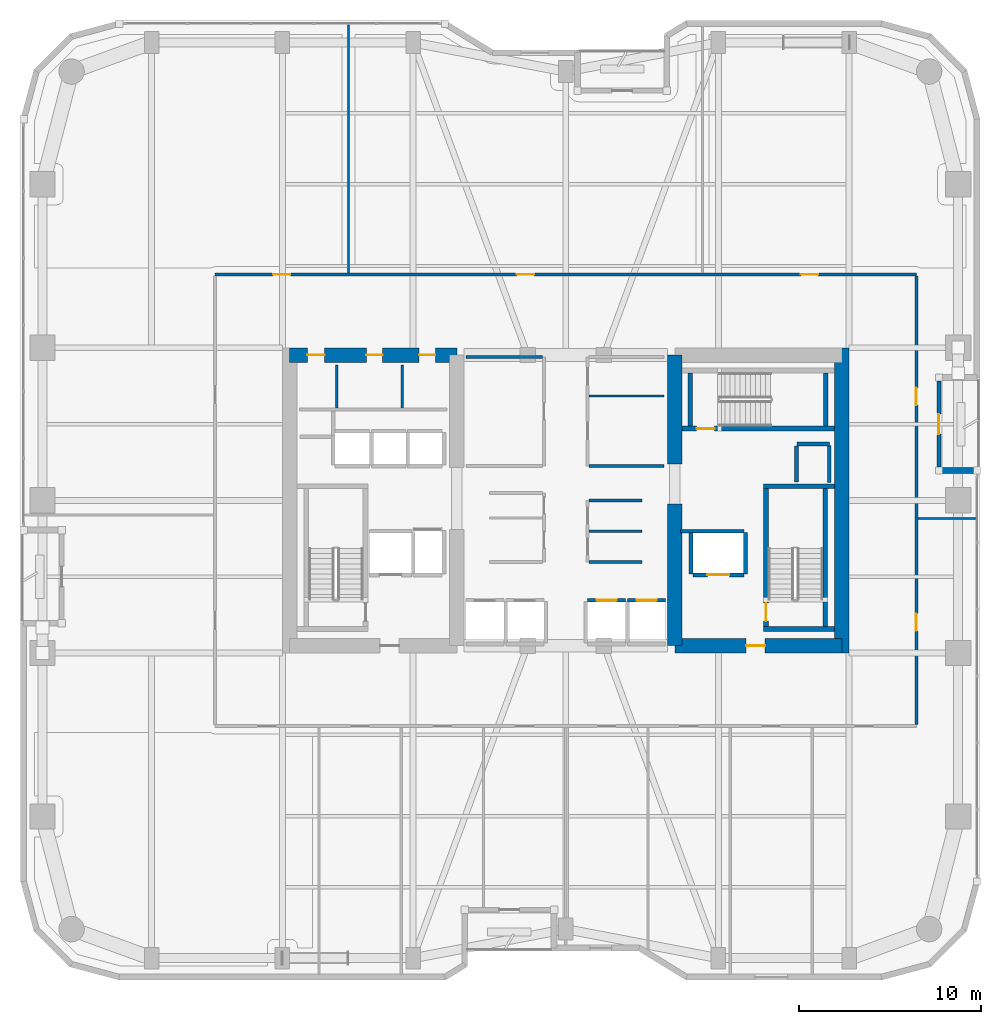
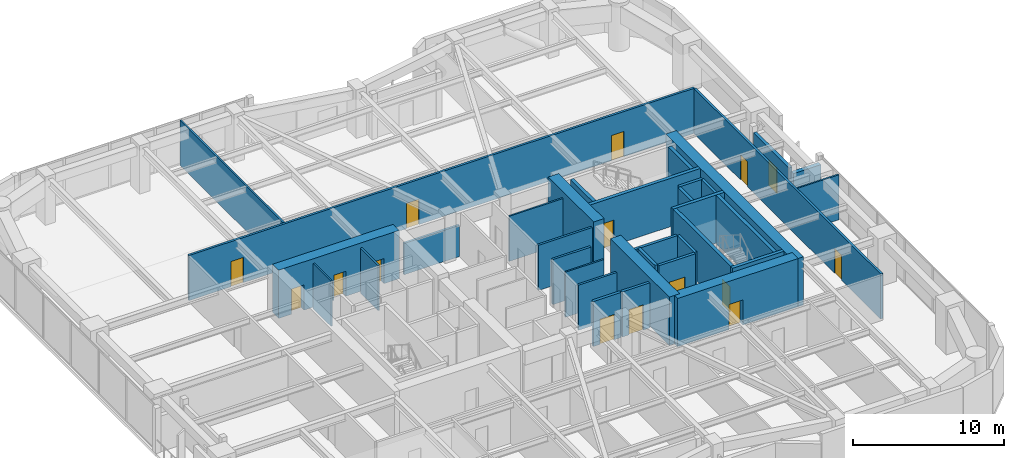
# One storey, part 20 of 24: 35 walls, 15 doors, 15 openings.
"""IFC4 building model written with IfcOpenShell, lengths in metres."""

from ifc_helpers import new_model, si_unit, direction, frame, frame_2d, origin, place, context, subcontext, project, spatial, rectangle, extrude, material, layer, layer_set, type_object, element, fill, save


model = new_model("IFC4")

# Units and contexts
model_context = context("Model", 3, precision=1e-05, world=origin(), true_north=direction((0.0, 1.0)))
body_context = subcontext(model_context, "Body", "Model", "MODEL_VIEW")
ifc_project = project(units=[si_unit("LENGTHUNIT", "METRE"), si_unit("AREAUNIT", "SQUARE_METRE"), si_unit("VOLUMEUNIT", "CUBIC_METRE"), si_unit("PLANEANGLEUNIT", "RADIAN"), si_unit("MASSUNIT", "GRAM", prefix="KILO")], contexts=[model_context])

# Site, building, storey
site_placement = place(None, origin())
site = spatial("IfcSite", under=ifc_project, at=site_placement, CompositionType="ELEMENT")
building_placement = place(site_placement, origin())
building = spatial("IfcBuilding", under=site, at=building_placement, Name="Kiyonajd Concourse Tower", CompositionType="ELEMENT")
storey_placement = place(building_placement, frame((0.0, 0.0, 117.0)))
storey = spatial("IfcBuildingStorey", under=building, at=storey_placement, Name="L30", CompositionType="ELEMENT", Elevation=117.0)

# Wall, openings, doors
ifc_material_1 = material(Name="Concrete C70/85", Category="concrete")
ifc_layer_1 = layer(ifc_material_1, 0.800048828125)
ifc_layer_set_1 = layer_set([ifc_layer_1], Name="Concrete C70/85")
wall_type_1 = type_object("IfcWallType", Name="WL-CORE-800", PredefinedType="SHEAR", material=ifc_layer_set_1)
wall_1_placement = place(storey_placement, frame((32.800048828125, 44.0, 0.0), z_axis=(0.0, 0.0, 1.0), x_axis=(1.0, 0.0, 0.0)))
wall_1 = element("IfcWall", 1, at=wall_1_placement, inside=storey, type_object=wall_type_1, Name="L30 West Core North Shear Wall", PredefinedType="SHEAR", context=body_context, shape_type="SweptSolid", body=[
    extrude(rectangle(XDim=9.199951171875, YDim=0.800048828125, at=frame_2d((4.60009765625, 0.0))), origin(), (0.0, 0.0, 1.0), 3.89990234375),
])
opening_1_placement = place(wall_1_placement, frame((0.97509765625, 0.0, 0.0)))
opening_1 = element("IfcOpeningElement", 2, at=opening_1_placement, cuts=wall_1, Name="Opening DI1", PredefinedType="OPENING", context=body_context, shape_type="SweptSolid", body=[
    extrude(rectangle(XDim=0.949951171875, YDim=2.0400390625, at=frame_2d((0.47509765625, 1.02001953125))), frame((0.0, 0.409912109375, 0.0), z_axis=(0.0, -1.0, 0.0), x_axis=(1.0, 0.0, 0.0)), (0.0, 0.0, 1.0), 0.820068359375),
])
opening_2_placement = place(wall_1_placement, frame((4.22509765625, 0.0, 0.0)))
opening_2 = element("IfcOpeningElement", 3, at=opening_2_placement, cuts=wall_1, Name="Opening DI2", PredefinedType="OPENING", context=body_context, shape_type="SweptSolid", body=[
    extrude(rectangle(XDim=0.89990234375, YDim=2.02001953125, at=frame_2d((0.449951171875, 1.010009765625))), frame((0.0, 0.409912109375, 0.0), z_axis=(0.0, -1.0, 0.0), x_axis=(1.0, 0.0, 0.0)), (0.0, 0.0, 1.0), 0.820068359375),
])
opening_3_placement = place(wall_1_placement, frame((7.125, 0.0, 0.0)))
opening_3 = element("IfcOpeningElement", 4, at=opening_3_placement, cuts=wall_1, Name="Opening DI2", PredefinedType="OPENING", context=body_context, shape_type="SweptSolid", body=[
    extrude(rectangle(XDim=0.89990234375, YDim=2.02001953125, at=frame_2d((0.449951171875, 1.010009765625))), frame((0.0, 0.409912109375, 0.0), z_axis=(0.0, -1.0, 0.0), x_axis=(1.0, 0.0, 0.0)), (0.0, 0.0, 1.0), 0.820068359375),
])
ifc_material_2 = material(Name="Natural Oak Acoustic Timber Veneer", Category="wood")
door_type_1 = type_object("IfcDoorType", Name="DR-INT-900", OperationType="NOTDEFINED", PredefinedType="DOOR", material=ifc_material_2)
door_1_placement = place(opening_2_placement, origin())
door_1 = element("IfcDoor", 5, at=door_1_placement, inside=storey, type_object=door_type_1, Name="L30 Male Restroom Door", OperationType="SINGLE_SWING_RIGHT", OverallHeight=2.02001953125, OverallWidth=0.89990234375, PredefinedType="DOOR", context=body_context, shape_type="SweptSolid", body=[
    extrude(rectangle(XDim=0.89990234375, YDim=2.02001953125, at=frame_2d((0.449951171875, 1.010009765625))), frame((0.0, 0.02490234375, 0.0), z_axis=(0.0, -1.0, 0.0), x_axis=(1.0, 0.0, 0.0)), (0.0, 0.0, 1.0), 0.050048828125),
])
fill(opening_2, door_1)
door_2_placement = place(opening_3_placement, origin())
door_2 = element("IfcDoor", 6, at=door_2_placement, inside=storey, type_object=door_type_1, Name="L30 Female Restroom Door", OperationType="SINGLE_SWING_LEFT", OverallHeight=2.02001953125, OverallWidth=0.89990234375, PredefinedType="DOOR", context=body_context, shape_type="SweptSolid", body=[
    extrude(rectangle(XDim=0.89990234375, YDim=2.02001953125, at=frame_2d((0.449951171875, 1.010009765625))), frame((0.0, 0.02490234375, 0.0), z_axis=(0.0, -1.0, 0.0), x_axis=(1.0, 0.0, 0.0)), (0.0, 0.0, 1.0), 0.050048828125),
])
fill(opening_3, door_2)
door_type_2 = type_object("IfcDoorType", Name="DR-INT-950", OperationType="NOTDEFINED", PredefinedType="DOOR", material=ifc_material_2)
door_3_placement = place(opening_1_placement, origin())
door_3 = element("IfcDoor", 7, at=door_3_placement, inside=storey, type_object=door_type_2, Name="L30 Single User Accessible WC Door", OperationType="SINGLE_SWING_LEFT", OverallHeight=2.0400390625, OverallWidth=0.949951171875, PredefinedType="DOOR", context=body_context, shape_type="SweptSolid", body=[
    extrude(rectangle(XDim=0.949951171875, YDim=2.0400390625, at=frame_2d((0.47509765625, 1.02001953125))), frame((0.0, 0.02490234375, 0.0), z_axis=(0.0, -1.0, 0.0), x_axis=(1.0, 0.0, 0.0)), (0.0, 0.0, 1.0), 0.050048828125),
])
fill(opening_1, door_3)

# Walls
wall_2_placement = place(storey_placement, frame((54.0, 28.0, 0.0), z_axis=(0.0, 0.0, 1.0), x_axis=(0.0, 1.0, 0.0)))
element("IfcWall", 8, at=wall_2_placement, inside=storey, type_object=wall_type_1, Name="L30 East Core Inner South Shear Wall", PredefinedType="SHEAR", context=body_context, shape_type="SweptSolid", body=[
    extrude(rectangle(XDim=7.800048828125, YDim=0.800048828125, at=frame_2d((3.89990234375, 0.0))), origin(), (0.0, 0.0, 1.0), 3.89990234375),
])
wall_3_placement = place(storey_placement, frame((54.0, 38.0, 0.0), z_axis=(0.0, 0.0, 1.0), x_axis=(0.0, 1.0, 0.0)))
element("IfcWall", 9, at=wall_3_placement, inside=storey, type_object=wall_type_1, Name="L30 East Core Inner North Shear Wall", PredefinedType="SHEAR", context=body_context, shape_type="SweptSolid", body=[
    extrude(rectangle(XDim=6.0, YDim=0.800048828125, at=frame_2d((3.0, 0.0))), origin(), (0.0, 0.0, 1.0), 3.89990234375),
])
wall_4_placement = place(storey_placement, frame((63.199951171875, 27.60009765625, 0.0), z_axis=(0.0, 0.0, 1.0), x_axis=(0.0, 1.0, 0.0)))
element("IfcWall", 10, at=wall_4_placement, inside=storey, type_object=wall_type_1, Name="L30 East Core Outer Shear Wall", PredefinedType="SHEAR", context=body_context, shape_type="SweptSolid", body=[
    extrude(rectangle(XDim=16.7998046875, YDim=0.800048828125, at=frame_2d((8.39990234375, 0.0))), origin(), (0.0, 0.0, 1.0), 3.89990234375),
])

# Wall, opening, door
wall_5_placement = place(storey_placement, frame((54.0, 28.0, 0.0), z_axis=(0.0, 0.0, 1.0), x_axis=(1.0, 0.0, 0.0)))
wall_5 = element("IfcWall", 11, at=wall_5_placement, inside=storey, type_object=wall_type_1, Name="L30 East Core South Shear Wall", PredefinedType="SHEAR", context=body_context, shape_type="SweptSolid", body=[
    extrude(rectangle(XDim=9.199951171875, YDim=0.800048828125, at=frame_2d((4.60009765625, 0.0))), origin(), (0.0, 0.0, 1.0), 3.89990234375),
])
opening_4_placement = place(wall_5_placement, frame((3.925048828125, 0.0, 0.0)))
opening_4 = element("IfcOpeningElement", 12, at=opening_4_placement, cuts=wall_5, Name="Opening DF5", PredefinedType="OPENING", context=body_context, shape_type="SweptSolid", body=[
    extrude(rectangle(XDim=1.050048828125, YDim=2.0400390625, at=frame_2d((0.52490234375, 1.02001953125))), frame((0.0, 0.409912109375, 0.0), z_axis=(0.0, -1.0, 0.0), x_axis=(1.0, 0.0, 0.0)), (0.0, 0.0, 1.0), 0.820068359375),
])
ifc_material_3 = material(Name="Brushed Stainless Steel Cab Assembly", Category="steel")
door_type_3 = type_object("IfcDoorType", Name="DR-FD45-1050", OperationType="NOTDEFINED", PredefinedType="DOOR", material=ifc_material_3)
door_4_placement = place(opening_4_placement, origin())
door_4 = element("IfcDoor", 13, at=door_4_placement, inside=storey, type_object=door_type_3, Name="L30 Firefighting Lift Lobby E Smoke Door", OperationType="SINGLE_SWING_RIGHT", OverallHeight=2.0400390625, OverallWidth=1.050048828125, PredefinedType="DOOR", context=body_context, shape_type="SweptSolid", body=[
    extrude(rectangle(XDim=1.050048828125, YDim=2.0400390625, at=frame_2d((0.52490234375, 1.02001953125))), frame((0.0, 0.02490234375, 0.0), z_axis=(0.0, -1.0, 0.0), x_axis=(1.0, 0.0, 0.0)), (0.0, 0.0, 1.0), 0.050048828125),
])
fill(opening_4, door_4)

# Wall
ifc_material_4 = material(Name="Precast concrete C50/60", Category="concrete")
ifc_layer_2 = layer(ifc_material_4, 0.320068359375)
ifc_layer_set_2 = layer_set([ifc_layer_2], Name="Precast concrete C50/60")
wall_type_2 = type_object("IfcWallType", Name="WL-EXT-320", PredefinedType="SOLIDWALL", material=ifc_layer_set_2)
wall_6_placement = place(storey_placement, frame((68.5400390625, 37.639892578125, 0.0), z_axis=(0.0, 0.0, 1.0), x_axis=(1.0, 0.0, 0.0)))
element("IfcWall", 14, at=wall_6_placement, inside=storey, type_object=wall_type_2, Name="L30 Exterior Concrete Frame Wall 23", PredefinedType="SOLIDWALL", context=body_context, shape_type="SweptSolid", body=[
    extrude(rectangle(XDim=2.099853515625, YDim=0.320068359375, at=frame_2d((1.0498046875, 0.0))), origin(), (0.0, 0.0, 1.0), 2.875),
])

# Wall, opening, door
ifc_layer_3 = layer(ifc_material_4, 0.239990234375)
ifc_layer_set_3 = layer_set([ifc_layer_3], Name="Precast concrete C50/60")
wall_type_3 = type_object("IfcWallType", Name="WL-LOG-240", PredefinedType="SOLIDWALL", material=ifc_layer_set_3)
wall_7_placement = place(storey_placement, frame((68.5400390625, 42.56494140625, 0.0), z_axis=(0.0, 0.0, 1.0), x_axis=(0.0, -1.0, 0.0)))
wall_7 = element("IfcWall", 15, at=wall_7_placement, inside=storey, type_object=wall_type_3, Name="L30 Recessed Loggia Thermal Wall LOG-E", PredefinedType="SOLIDWALL", context=body_context, shape_type="SweptSolid", body=[
    extrude(rectangle(XDim=4.72998046875, YDim=0.239990234375, at=frame_2d((2.364990234375, 0.0))), origin(), (0.0, 0.0, 1.0), 3.162109375),
])
opening_5_placement = place(wall_7_placement, frame((1.81494140625, 0.0, 0.0)))
opening_5 = element("IfcOpeningElement", 16, at=opening_5_placement, cuts=wall_7, Name="Opening DL2", PredefinedType="OPENING", context=body_context, shape_type="SweptSolid", body=[
    extrude(rectangle(XDim=1.10009765625, YDim=2.0400390625, at=frame_2d((0.550048828125, 1.02001953125))), frame((0.0, 0.1298828125, 0.0), z_axis=(0.0, -1.0, 0.0), x_axis=(1.0, 0.0, 0.0)), (0.0, 0.0, 1.0), 0.260009765625),
])
ifc_material_5 = material(Name="Thermally Broken Anodised Aluminium", Category="aluminium")
door_type_4 = type_object("IfcDoorType", Name="DR-LOG-1100", OperationType="NOTDEFINED", PredefinedType="DOOR", material=ifc_material_5)
door_5_placement = place(opening_5_placement, origin())
door_5 = element("IfcDoor", 17, at=door_5_placement, inside=storey, type_object=door_type_4, Name="L30 Engawa Loggia Access Door LOG-E", OperationType="SINGLE_SWING_LEFT", OverallHeight=2.0400390625, OverallWidth=1.10009765625, PredefinedType="DOOR", context=body_context, shape_type="SweptSolid", body=[
    extrude(rectangle(XDim=1.10009765625, YDim=2.0400390625, at=frame_2d((0.550048828125, 1.02001953125))), frame((0.0, 0.02490234375, 0.0), z_axis=(0.0, -1.0, 0.0), x_axis=(1.0, 0.0, 0.0)), (0.0, 0.0, 1.0), 0.050048828125),
])
fill(opening_5, door_5)

# Walls
ifc_material_6 = material(Name="Gypsum Board on Cold-Formed Steel Stud", Category="steel")
ifc_layer_4 = layer(ifc_material_6, 0.125)
ifc_layer_set_4 = layer_set([ifc_layer_4], Name="Gypsum Board on Cold-Formed Steel Stud")
wall_type_4 = type_object("IfcWallType", Name="WL-PART-125", PredefinedType="PARTITIONING", material=ifc_layer_set_4)
for number, where, z_axis, x_axis, name in (
    (18, (35.39990234375, 41.094970703125, 0.0), (0.0, 0.0, 1.0), (0.0, 1.0, 0.0), "L30 Interior Partition Wall"),
    (19, (39.0, 41.094970703125, 0.0), (0.0, 0.0, 1.0), (0.0, 1.0, 0.0), "L30 Interior Partition Wall"),
):
    element("IfcWall", number, at=place(storey_placement, frame(where, z_axis=z_axis, x_axis=x_axis)), inside=storey, type_object=wall_type_4, Name=name, PredefinedType="PARTITIONING", context=body_context, shape_type="SweptSolid", body=[
        extrude(rectangle(XDim=2.35498046875, YDim=0.125, at=frame_2d((1.177490234375, 0.0))), origin(), (0.0, 0.0, 1.0), 3.639892578125),
    ])
wall_8_placement = place(storey_placement, frame((49.287109375, 34.300048828125, 0.0), z_axis=(0.0, 0.0, 1.0), x_axis=(1.0, 0.0, 0.0)))
element("IfcWall", 20, at=wall_8_placement, inside=storey, type_object=wall_type_4, Name="L30 Interior Partition Wall", PredefinedType="PARTITIONING", context=body_context, shape_type="SweptSolid", body=[
    extrude(rectangle(XDim=2.912841796875, YDim=0.125, at=frame_2d((1.45654296875, 0.0))), origin(), (0.0, 0.0, 1.0), 3.639892578125),
])
wall_9_placement = place(storey_placement, frame((49.287109375, 41.739990234375, 0.0), z_axis=(0.0, 0.0, 1.0), x_axis=(1.0, 0.0, 0.0)))
element("IfcWall", 21, at=wall_9_placement, inside=storey, type_object=wall_type_4, Name="L30 Interior Partition Wall", PredefinedType="PARTITIONING", context=body_context, shape_type="SweptSolid", body=[
    extrude(rectangle(XDim=4.11279296875, YDim=0.125, at=frame_2d((2.056396484375, 0.0))), origin(), (0.0, 0.0, 1.0), 3.639892578125),
])
wall_10_placement = place(storey_placement, frame((36.0400390625, 48.51708984375, 0.0), z_axis=(0.0, 0.0, 1.0), x_axis=(0.0, 1.0, 0.0)))
element("IfcWall", 22, at=wall_10_placement, inside=storey, type_object=wall_type_4, Name="L30 Interior Partition Wall", PredefinedType="PARTITIONING", context=body_context, shape_type="SweptSolid", body=[
    extrude(rectangle(XDim=13.637939453125, YDim=0.125, at=frame_2d((6.81884765625, 0.0))), origin(), (0.0, 0.0, 1.0), 3.639892578125),
])
wall_11_placement = place(storey_placement, frame((67.386962890625, 35.0, 0.0), z_axis=(0.0, 0.0, 1.0), x_axis=(1.0, 0.0, 0.0)))
element("IfcWall", 23, at=wall_11_placement, inside=storey, type_object=wall_type_4, Name="L30 Interior Partition Wall", PredefinedType="PARTITIONING", context=body_context, shape_type="SweptSolid", body=[
    extrude(rectangle(XDim=3.16796875, YDim=0.125, at=frame_2d((1.583984375, 0.0))), origin(), (0.0, 0.0, 1.0), 3.639892578125),
])
ifc_layer_5 = layer(ifc_material_6, 0.2099609375)
ifc_layer_set_5 = layer_set([ifc_layer_5], Name="Gypsum Board on Cold-Formed Steel Stud")
wall_type_5 = type_object("IfcWallType", Name="WL-SHAFT-210", PredefinedType="PARTITIONING", material=ifc_layer_set_5)
wall_12_placement = place(storey_placement, frame((60.719970703125, 39.10009765625, 0.0), z_axis=(0.0, 0.0, 1.0), x_axis=(1.0, 0.0, 0.0)))
element("IfcWall", 24, at=wall_12_placement, inside=storey, type_object=wall_type_5, Name="L30 Shaft Enclosure Wall", PredefinedType="PARTITIONING", context=body_context, shape_type="SweptSolid", body=[
    extrude(rectangle(XDim=1.800048828125, YDim=0.2099609375, at=frame_2d((0.89990234375, 0.0))), origin(), (0.0, 0.0, 1.0), 3.639892578125),
])
wall_13_placement = place(storey_placement, frame((60.699951171875, 37.02001953125, 0.0), z_axis=(0.0, 0.0, 1.0), x_axis=(0.0, 1.0, 0.0)))
element("IfcWall", 25, at=wall_13_placement, inside=storey, type_object=wall_type_5, Name="L30 Shaft Enclosure Wall", PredefinedType="PARTITIONING", context=body_context, shape_type="SweptSolid", body=[
    extrude(rectangle(XDim=1.9599609375, YDim=0.2099609375, at=frame_2d((0.97998046875, 0.0))), origin(), (0.0, 0.0, 1.0), 3.639892578125),
])
wall_14_placement = place(storey_placement, frame((62.5, 36.97998046875, 0.0), z_axis=(0.0, 0.0, 1.0), x_axis=(0.0, 1.0, 0.0)))
element("IfcWall", 26, at=wall_14_placement, inside=storey, type_object=wall_type_5, Name="L30 Shaft Enclosure Wall", PredefinedType="PARTITIONING", context=body_context, shape_type="SweptSolid", body=[
    extrude(rectangle(XDim=2.0400390625, YDim=0.2099609375, at=frame_2d((1.02001953125, 0.0))), origin(), (0.0, 0.0, 1.0), 3.639892578125),
])

# Wall, opening, door
wall_15_placement = place(storey_placement, frame((55.0, 31.89990234375, 0.0), z_axis=(0.0, 0.0, 1.0), x_axis=(1.0, 0.0, 0.0)))
wall_15 = element("IfcWall", 27, at=wall_15_placement, inside=storey, type_object=wall_type_5, Name="L30 Shaft Enclosure Wall", PredefinedType="PARTITIONING", context=body_context, shape_type="SweptSolid", body=[
    extrude(rectangle(XDim=2.800048828125, YDim=0.2099609375, at=frame_2d((1.39990234375, 0.0))), origin(), (0.0, 0.0, 1.0), 3.639892578125),
])
opening_6_placement = place(wall_15_placement, frame((0.800048828125, 0.0, 0.0)))
opening_6 = element("IfcOpeningElement", 28, at=opening_6_placement, cuts=wall_15, Name="Opening LD2", PredefinedType="OPENING", context=body_context, shape_type="SweptSolid", body=[
    extrude(rectangle(XDim=1.199951171875, YDim=2.0400390625, at=frame_2d((0.60009765625, 1.02001953125))), frame((0.0, 0.114990234375, 0.0), z_axis=(0.0, -1.0, 0.0), x_axis=(1.0, 0.0, 0.0)), (0.0, 0.0, 1.0), 0.22998046875),
])
door_type_5 = type_object("IfcDoorType", Name="DR-LD-1200", OperationType="DOUBLE_DOOR_SLIDING", PredefinedType="DOOR", material=ifc_material_3)
door_6_placement = place(opening_6_placement, origin())
door_6 = element("IfcDoor", 29, at=door_6_placement, inside=storey, type_object=door_type_5, Name="L30 Lift FFL2 Sliding Landing Door", OperationType="DOUBLE_DOOR_SLIDING", OverallHeight=2.0400390625, OverallWidth=1.199951171875, PredefinedType="DOOR", context=body_context, shape_type="SweptSolid", body=[
    extrude(rectangle(XDim=1.199951171875, YDim=2.0400390625, at=frame_2d((0.60009765625, 1.02001953125))), frame((0.0, 0.02490234375, 0.0), z_axis=(0.0, -1.0, 0.0), x_axis=(1.0, 0.0, 0.0)), (0.0, 0.0, 1.0), 0.050048828125),
])
fill(opening_6, door_6)

# Walls
wall_16_placement = place(storey_placement, frame((54.320068359375, 34.300048828125, 0.0), z_axis=(0.0, 0.0, 1.0), x_axis=(1.0, 0.0, 0.0)))
element("IfcWall", 30, at=wall_16_placement, inside=storey, type_object=wall_type_5, Name="L30 Shaft Enclosure Wall", PredefinedType="PARTITIONING", context=body_context, shape_type="SweptSolid", body=[
    extrude(rectangle(XDim=3.47998046875, YDim=0.2099609375, at=frame_2d((1.739990234375, 0.0))), origin(), (0.0, 0.0, 1.0), 3.639892578125),
])
for number, where, z_axis, x_axis, name in (
    (31, (54.89990234375, 31.9599609375, 0.0), (0.0, 0.0, 1.0), (0.0, 1.0, 0.0), "L30 Shaft Enclosure Wall"),
    (32, (57.89990234375, 31.9599609375, 0.0), (0.0, 0.0, 1.0), (0.0, 1.0, 0.0), "L30 Shaft Enclosure Wall"),
):
    element("IfcWall", number, at=place(storey_placement, frame(where, z_axis=z_axis, x_axis=x_axis)), inside=storey, type_object=wall_type_5, Name=name, PredefinedType="PARTITIONING", context=body_context, shape_type="SweptSolid", body=[
        extrude(rectangle(XDim=2.280029296875, YDim=0.2099609375, at=frame_2d((1.14013671875, 0.0))), origin(), (0.0, 0.0, 1.0), 3.639892578125),
    ])

# Wall, opening, door
wall_17_placement = place(storey_placement, frame((49.199951171875, 30.5, 0.0), z_axis=(0.0, 0.0, 1.0), x_axis=(1.0, 0.0, 0.0)))
wall_17 = element("IfcWall", 33, at=wall_17_placement, inside=storey, type_object=wall_type_5, Name="L30 Shaft Enclosure Wall", PredefinedType="PARTITIONING", context=body_context, shape_type="SweptSolid", body=[
    extrude(rectangle(XDim=2.10009765625, YDim=0.2099609375, at=frame_2d((1.050048828125, 0.0))), origin(), (0.0, 0.0, 1.0), 3.639892578125),
])
opening_7_placement = place(wall_17_placement, frame((0.5, 0.0, 0.0)))
opening_7 = element("IfcOpeningElement", 34, at=opening_7_placement, cuts=wall_17, Name="Opening LD1", PredefinedType="OPENING", context=body_context, shape_type="SweptSolid", body=[
    extrude(rectangle(XDim=1.10009765625, YDim=2.0400390625, at=frame_2d((0.550048828125, 1.02001953125))), frame((0.0, 0.114990234375, 0.0), z_axis=(0.0, -1.0, 0.0), x_axis=(1.0, 0.0, 0.0)), (0.0, 0.0, 1.0), 0.22998046875),
])
door_type_6 = type_object("IfcDoorType", Name="DR-LD-1100", OperationType="DOUBLE_DOOR_SLIDING", PredefinedType="DOOR", material=ifc_material_3)
door_7_placement = place(opening_7_placement, origin())
door_7 = element("IfcDoor", 35, at=door_7_placement, inside=storey, type_object=door_type_6, Name="L30 Lift PL-L3 Sliding Landing Door", OperationType="DOUBLE_DOOR_SLIDING", OverallHeight=2.0400390625, OverallWidth=1.10009765625, PredefinedType="DOOR", context=body_context, shape_type="SweptSolid", body=[
    extrude(rectangle(XDim=1.10009765625, YDim=2.0400390625, at=frame_2d((0.550048828125, 1.02001953125))), frame((0.0, 0.02490234375, 0.0), z_axis=(0.0, -1.0, 0.0), x_axis=(1.0, 0.0, 0.0)), (0.0, 0.0, 1.0), 0.050048828125),
])
fill(opening_7, door_7)

wall_18_placement = place(storey_placement, frame((51.39990234375, 30.5, 0.0), z_axis=(0.0, 0.0, 1.0), x_axis=(1.0, 0.0, 0.0)))
wall_18 = element("IfcWall", 36, at=wall_18_placement, inside=storey, type_object=wall_type_5, Name="L30 Shaft Enclosure Wall", PredefinedType="PARTITIONING", context=body_context, shape_type="SweptSolid", body=[
    extrude(rectangle(XDim=2.10009765625, YDim=0.2099609375, at=frame_2d((1.050048828125, 0.0))), origin(), (0.0, 0.0, 1.0), 3.639892578125),
])
opening_8_placement = place(wall_18_placement, frame((0.5, 0.0, 0.0)))
opening_8 = element("IfcOpeningElement", 37, at=opening_8_placement, cuts=wall_18, Name="Opening LD1", PredefinedType="OPENING", context=body_context, shape_type="SweptSolid", body=[
    extrude(rectangle(XDim=1.10009765625, YDim=2.0400390625, at=frame_2d((0.550048828125, 1.02001953125))), frame((0.0, 0.114990234375, 0.0), z_axis=(0.0, -1.0, 0.0), x_axis=(1.0, 0.0, 0.0)), (0.0, 0.0, 1.0), 0.22998046875),
])
door_8_placement = place(opening_8_placement, origin())
door_8 = element("IfcDoor", 38, at=door_8_placement, inside=storey, type_object=door_type_6, Name="L30 Lift PL-L4 Sliding Landing Door", OperationType="DOUBLE_DOOR_SLIDING", OverallHeight=2.0400390625, OverallWidth=1.10009765625, PredefinedType="DOOR", context=body_context, shape_type="SweptSolid", body=[
    extrude(rectangle(XDim=1.10009765625, YDim=2.0400390625, at=frame_2d((0.550048828125, 1.02001953125))), frame((0.0, 0.02490234375, 0.0), z_axis=(0.0, -1.0, 0.0), x_axis=(1.0, 0.0, 0.0)), (0.0, 0.0, 1.0), 0.050048828125),
])
fill(opening_8, door_8)

# Walls
ifc_layer_6 = layer(ifc_material_6, 0.169921875)
ifc_layer_set_6 = layer_set([ifc_layer_6], Name="Gypsum Board on Cold-Formed Steel Stud")
wall_type_6 = type_object("IfcWallType", Name="WL-SMK-170", PredefinedType="PARTITIONING", material=ifc_layer_set_6)
for number, where, z_axis, x_axis, name in (
    (39, (49.287109375, 32.60009765625, 0.0), (0.0, 0.0, 1.0), (1.0, 0.0, 0.0), "L30 Interior Partition Wall"),
    (40, (49.287109375, 36.0, 0.0), (0.0, 0.0, 1.0), (1.0, 0.0, 0.0), "L30 Interior Partition Wall"),
):
    element("IfcWall", number, at=place(storey_placement, frame(where, z_axis=z_axis, x_axis=x_axis)), inside=storey, type_object=wall_type_6, Name=name, PredefinedType="PARTITIONING", context=body_context, shape_type="SweptSolid", body=[
        extrude(rectangle(XDim=2.912841796875, YDim=0.169921875, at=frame_2d((1.45654296875, 0.0))), origin(), (0.0, 0.0, 1.0), 3.639892578125),
    ])
wall_19_placement = place(storey_placement, frame((42.5, 43.89990234375, 0.0), z_axis=(0.0, 0.0, 1.0), x_axis=(1.0, 0.0, 0.0)))
element("IfcWall", 41, at=wall_19_placement, inside=storey, type_object=wall_type_6, Name="L30 Interior Partition Wall", PredefinedType="PARTITIONING", context=body_context, shape_type="SweptSolid", body=[
    extrude(rectangle(XDim=4.212890625, YDim=0.169921875, at=frame_2d((2.1064453125, 0.0))), origin(), (0.0, 0.0, 1.0), 2.52490234375),
])
wall_20_placement = place(storey_placement, frame((49.287109375, 37.89990234375, 0.0), z_axis=(0.0, 0.0, 1.0), x_axis=(1.0, 0.0, 0.0)))
element("IfcWall", 42, at=wall_20_placement, inside=storey, type_object=wall_type_6, Name="L30 Interior Partition Wall", PredefinedType="PARTITIONING", context=body_context, shape_type="SweptSolid", body=[
    extrude(rectangle(XDim=4.11279296875, YDim=0.169921875, at=frame_2d((2.056396484375, 0.0))), origin(), (0.0, 0.0, 1.0), 3.639892578125),
])

# Wall, openings, doors
wall_21_placement = place(storey_placement, frame((28.699951171875, 48.429931640625, 0.0), z_axis=(0.0, 0.0, 1.0), x_axis=(1.0, 0.0, 0.0)))
wall_21 = element("IfcWall", 43, at=wall_21_placement, inside=storey, type_object=wall_type_6, Name="L30 Interior Partition Wall", PredefinedType="PARTITIONING", context=body_context, shape_type="SweptSolid", body=[
    extrude(rectangle(XDim=38.60009765625, YDim=0.169921875, at=frame_2d((19.300048828125, 0.0))), origin(), (0.0, 0.0, 1.0), 3.639892578125),
])
opening_9_placement = place(wall_21_placement, frame((3.195068359375, 0.0, 0.0)))
opening_9 = element("IfcOpeningElement", 44, at=opening_9_placement, cuts=wall_21, Name="Opening DI1", PredefinedType="OPENING", context=body_context, shape_type="SweptSolid", body=[
    extrude(rectangle(XDim=0.949951171875, YDim=2.0400390625, at=frame_2d((0.47509765625, 1.02001953125))), frame((0.0, 0.094970703125, 0.0), z_axis=(0.0, -1.0, 0.0), x_axis=(1.0, 0.0, 0.0)), (0.0, 0.0, 1.0), 0.18994140625),
])
opening_10_placement = place(wall_21_placement, frame((16.60498046875, 0.0, 0.0)))
opening_10 = element("IfcOpeningElement", 45, at=opening_10_placement, cuts=wall_21, Name="Opening DI1", PredefinedType="OPENING", context=body_context, shape_type="SweptSolid", body=[
    extrude(rectangle(XDim=0.949951171875, YDim=2.0400390625, at=frame_2d((0.47509765625, 1.02001953125))), frame((0.0, 0.094970703125, 0.0), z_axis=(0.0, -1.0, 0.0), x_axis=(1.0, 0.0, 0.0)), (0.0, 0.0, 1.0), 0.18994140625),
])
opening_11_placement = place(wall_21_placement, frame((32.235107421875, 0.0, 0.0)))
opening_11 = element("IfcOpeningElement", 46, at=opening_11_placement, cuts=wall_21, Name="Opening DI1", PredefinedType="OPENING", context=body_context, shape_type="SweptSolid", body=[
    extrude(rectangle(XDim=0.949951171875, YDim=2.0400390625, at=frame_2d((0.47509765625, 1.02001953125))), frame((0.0, 0.094970703125, 0.0), z_axis=(0.0, -1.0, 0.0), x_axis=(1.0, 0.0, 0.0)), (0.0, 0.0, 1.0), 0.18994140625),
])
door_9_placement = place(opening_9_placement, origin())
door_9 = element("IfcDoor", 47, at=door_9_placement, inside=storey, type_object=door_type_2, Name="L30 Interior Door", OperationType="SINGLE_SWING_RIGHT", OverallHeight=2.0400390625, OverallWidth=0.949951171875, PredefinedType="DOOR", context=body_context, shape_type="SweptSolid", body=[
    extrude(rectangle(XDim=0.949951171875, YDim=2.0400390625, at=frame_2d((0.47509765625, 1.02001953125))), frame((0.0, 0.02490234375, 0.0), z_axis=(0.0, -1.0, 0.0), x_axis=(1.0, 0.0, 0.0)), (0.0, 0.0, 1.0), 0.050048828125),
])
fill(opening_9, door_9)
door_10_placement = place(opening_10_placement, origin())
door_10 = element("IfcDoor", 48, at=door_10_placement, inside=storey, type_object=door_type_2, Name="L30 Interior Door", OperationType="SINGLE_SWING_LEFT", OverallHeight=2.0400390625, OverallWidth=0.949951171875, PredefinedType="DOOR", context=body_context, shape_type="SweptSolid", body=[
    extrude(rectangle(XDim=0.949951171875, YDim=2.0400390625, at=frame_2d((0.47509765625, 1.02001953125))), frame((0.0, 0.02490234375, 0.0), z_axis=(0.0, -1.0, 0.0), x_axis=(1.0, 0.0, 0.0)), (0.0, 0.0, 1.0), 0.050048828125),
])
fill(opening_10, door_10)
door_11_placement = place(opening_11_placement, origin())
door_11 = element("IfcDoor", 49, at=door_11_placement, inside=storey, type_object=door_type_2, Name="L30 Interior Door", OperationType="SINGLE_SWING_RIGHT", OverallHeight=2.0400390625, OverallWidth=0.949951171875, PredefinedType="DOOR", context=body_context, shape_type="SweptSolid", body=[
    extrude(rectangle(XDim=0.949951171875, YDim=2.0400390625, at=frame_2d((0.47509765625, 1.02001953125))), frame((0.0, 0.02490234375, 0.0), z_axis=(0.0, -1.0, 0.0), x_axis=(1.0, 0.0, 0.0)), (0.0, 0.0, 1.0), 0.050048828125),
])
fill(opening_11, door_11)

wall_22_placement = place(storey_placement, frame((67.300048828125, 23.656982421875, 0.0), z_axis=(0.0, 0.0, 1.0), x_axis=(0.0, 1.0, 0.0)))
wall_22 = element("IfcWall", 50, at=wall_22_placement, inside=storey, type_object=wall_type_6, Name="L30 Interior Partition Wall", PredefinedType="PARTITIONING", context=body_context, shape_type="SweptSolid", body=[
    extrude(rectangle(XDim=24.68603515625, YDim=0.169921875, at=frame_2d((12.343017578125, 0.0))), origin(), (0.0, 0.0, 1.0), 3.639892578125),
])
opening_12_placement = place(wall_22_placement, frame((5.153076171875, 0.0, 0.0)))
opening_12 = element("IfcOpeningElement", 51, at=opening_12_placement, cuts=wall_22, Name="Opening DI1", PredefinedType="OPENING", context=body_context, shape_type="SweptSolid", body=[
    extrude(rectangle(XDim=0.949951171875, YDim=2.0400390625, at=frame_2d((0.47509765625, 1.02001953125))), frame((0.0, 0.094970703125, 0.0), z_axis=(0.0, -1.0, 0.0), x_axis=(1.0, 0.0, 0.0)), (0.0, 0.0, 1.0), 0.18994140625),
])
opening_13_placement = place(wall_22_placement, frame((17.5830078125, 0.0, 0.0)))
opening_13 = element("IfcOpeningElement", 52, at=opening_13_placement, cuts=wall_22, Name="Opening DI1", PredefinedType="OPENING", context=body_context, shape_type="SweptSolid", body=[
    extrude(rectangle(XDim=0.949951171875, YDim=2.0400390625, at=frame_2d((0.47509765625, 1.02001953125))), frame((0.0, 0.094970703125, 0.0), z_axis=(0.0, -1.0, 0.0), x_axis=(1.0, 0.0, 0.0)), (0.0, 0.0, 1.0), 0.18994140625),
])
door_12_placement = place(opening_12_placement, origin())
door_12 = element("IfcDoor", 53, at=door_12_placement, inside=storey, type_object=door_type_2, Name="L30 Interior Door", OperationType="SINGLE_SWING_LEFT", OverallHeight=2.0400390625, OverallWidth=0.949951171875, PredefinedType="DOOR", context=body_context, shape_type="SweptSolid", body=[
    extrude(rectangle(XDim=0.949951171875, YDim=2.0400390625, at=frame_2d((0.47509765625, 1.02001953125))), frame((0.0, 0.02490234375, 0.0), z_axis=(0.0, -1.0, 0.0), x_axis=(1.0, 0.0, 0.0)), (0.0, 0.0, 1.0), 0.050048828125),
])
fill(opening_12, door_12)
door_13_placement = place(opening_13_placement, origin())
door_13 = element("IfcDoor", 54, at=door_13_placement, inside=storey, type_object=door_type_2, Name="L30 Interior Door", OperationType="SINGLE_SWING_RIGHT", OverallHeight=2.0400390625, OverallWidth=0.949951171875, PredefinedType="DOOR", context=body_context, shape_type="SweptSolid", body=[
    extrude(rectangle(XDim=0.949951171875, YDim=2.0400390625, at=frame_2d((0.47509765625, 1.02001953125))), frame((0.0, 0.02490234375, 0.0), z_axis=(0.0, -1.0, 0.0), x_axis=(1.0, 0.0, 0.0)), (0.0, 0.0, 1.0), 0.050048828125),
])
fill(opening_13, door_13)

# Walls
ifc_material_7 = material(Name="Concrete C50/60", Category="concrete")
ifc_layer_7 = layer(ifc_material_7, 0.260009765625)
ifc_layer_set_7 = layer_set([ifc_layer_7], Name="Concrete C50/60")
wall_type_7 = type_object("IfcWallType", Name="WL-STAIR-260", PredefinedType="SHEAR", material=ifc_layer_set_7)
for number, where, z_axis, x_axis, name in (
    (55, (58.889892578125, 28.919921875, 0.0), (0.0, 0.0, 1.0), (1.0, 0.0, 0.0), "L30 Stair ST2 Structural South Wall"),
    (56, (58.889892578125, 36.780029296875, 0.0), (0.0, 0.0, 1.0), (1.0, 0.0, 0.0), "L30 Stair ST2 Structural North Wall"),
):
    element("IfcWall", number, at=place(storey_placement, frame(where, z_axis=z_axis, x_axis=x_axis)), inside=storey, type_object=wall_type_7, Name=name, PredefinedType="SHEAR", context=body_context, shape_type="SweptSolid", body=[
        extrude(rectangle(XDim=3.91015625, YDim=0.260009765625, at=frame_2d((1.955078125, 0.0))), origin(), (0.0, 0.0, 1.0), 3.89990234375),
    ])

# Wall, opening, door
wall_23_placement = place(storey_placement, frame((59.02001953125, 29.050048828125, 0.0), z_axis=(0.0, 0.0, 1.0), x_axis=(0.0, 1.0, 0.0)))
wall_23 = element("IfcWall", 57, at=wall_23_placement, inside=storey, type_object=wall_type_7, Name="L30 Stair ST2 Structural West Wall", PredefinedType="SHEAR", context=body_context, shape_type="SweptSolid", body=[
    extrude(rectangle(XDim=7.599853515625, YDim=0.260009765625, at=frame_2d((3.7998046875, 0.0))), origin(), (0.0, 0.0, 1.0), 3.89990234375),
])
opening_14_placement = place(wall_23_placement, frame((0.300048828125, 0.0, 0.0)))
opening_14 = element("IfcOpeningElement", 58, at=opening_14_placement, cuts=wall_23, Name="Opening DF1", PredefinedType="OPENING", context=body_context, shape_type="SweptSolid", body=[
    extrude(rectangle(XDim=1.0, YDim=2.0400390625, at=frame_2d((0.5, 1.02001953125))), frame((0.0, 0.139892578125, 0.0), z_axis=(0.0, -1.0, 0.0), x_axis=(1.0, 0.0, 0.0)), (0.0, 0.0, 1.0), 0.280029296875),
])
door_type_7 = type_object("IfcDoorType", Name="DR-FD90-1000", OperationType="NOTDEFINED", PredefinedType="DOOR", material=ifc_material_3)
door_14_placement = place(opening_14_placement, origin())
door_14 = element("IfcDoor", 59, at=door_14_placement, inside=storey, type_object=door_type_7, Name="L30 Stair ST2 FSAE Door", OperationType="SINGLE_SWING_RIGHT", OverallHeight=2.0400390625, OverallWidth=1.0, PredefinedType="DOOR", context=body_context, shape_type="SweptSolid", body=[
    extrude(rectangle(XDim=1.0, YDim=2.0400390625, at=frame_2d((0.5, 1.02001953125))), frame((0.0, 0.02490234375, 0.0), z_axis=(0.0, -1.0, 0.0), x_axis=(1.0, 0.0, 0.0)), (0.0, 0.0, 1.0), 0.050048828125),
])
fill(opening_14, door_14)

# Wall
wall_24_placement = place(storey_placement, frame((62.280029296875, 29.050048828125, 0.0), z_axis=(0.0, 0.0, 1.0), x_axis=(0.0, 1.0, 0.0)))
element("IfcWall", 60, at=wall_24_placement, inside=storey, type_object=wall_type_7, Name="L30 Stair ST2 Structural East Wall", PredefinedType="SHEAR", context=body_context, shape_type="SweptSolid", body=[
    extrude(rectangle(XDim=7.599853515625, YDim=0.260009765625, at=frame_2d((3.7998046875, 0.0))), origin(), (0.0, 0.0, 1.0), 3.89990234375),
])

# Wall, opening, door
wall_25_placement = place(storey_placement, frame((54.39990234375, 39.949951171875, 0.0), z_axis=(0.0, 0.0, 1.0), x_axis=(1.0, 0.0, 0.0)))
wall_25 = element("IfcWall", 61, at=wall_25_placement, inside=storey, type_object=wall_type_7, Name="L30 Stair ST3 Structural South Wall", PredefinedType="SHEAR", context=body_context, shape_type="SweptSolid", body=[
    extrude(rectangle(XDim=8.400146484375, YDim=0.260009765625, at=frame_2d((4.2001953125, 0.0))), origin(), (0.0, 0.0, 1.0), 3.89990234375),
])
opening_15_placement = place(wall_25_placement, frame((0.800048828125, 0.0, 0.0)))
opening_15 = element("IfcOpeningElement", 62, at=opening_15_placement, cuts=wall_25, Name="Opening DF1", PredefinedType="OPENING", context=body_context, shape_type="SweptSolid", body=[
    extrude(rectangle(XDim=1.0, YDim=2.0400390625, at=frame_2d((0.5, 1.02001953125))), frame((0.0, 0.139892578125, 0.0), z_axis=(0.0, -1.0, 0.0), x_axis=(1.0, 0.0, 0.0)), (0.0, 0.0, 1.0), 0.280029296875),
])
door_15_placement = place(opening_15_placement, origin())
door_15 = element("IfcDoor", 63, at=door_15_placement, inside=storey, type_object=door_type_7, Name="L30 Stair ST3 Enclosure Door", OperationType="SINGLE_SWING_LEFT", OverallHeight=2.0400390625, OverallWidth=1.0, PredefinedType="DOOR", context=body_context, shape_type="SweptSolid", body=[
    extrude(rectangle(XDim=1.0, YDim=2.0400390625, at=frame_2d((0.5, 1.02001953125))), frame((0.0, 0.02490234375, 0.0), z_axis=(0.0, -1.0, 0.0), x_axis=(1.0, 0.0, 0.0)), (0.0, 0.0, 1.0), 0.050048828125),
])
fill(opening_15, door_15)

# Walls
for number, where, z_axis, x_axis, name in (
    (64, (54.85009765625, 40.080078125, 0.0), (0.0, 0.0, 1.0), (0.0, 1.0, 0.0), "L30 Stair ST3 Structural West Wall"),
    (65, (62.31005859375, 40.080078125, 0.0), (0.0, 0.0, 1.0), (0.0, 1.0, 0.0), "L30 Stair ST3 Structural East Wall"),
):
    element("IfcWall", number, at=place(storey_placement, frame(where, z_axis=z_axis, x_axis=x_axis)), inside=storey, type_object=wall_type_7, Name=name, PredefinedType="SHEAR", context=body_context, shape_type="SweptSolid", body=[
        extrude(rectangle(XDim=2.93994140625, YDim=0.260009765625, at=frame_2d((1.469970703125, 0.0))), origin(), (0.0, 0.0, 1.0), 3.89990234375),
    ])

save(model, "model.ifc")
